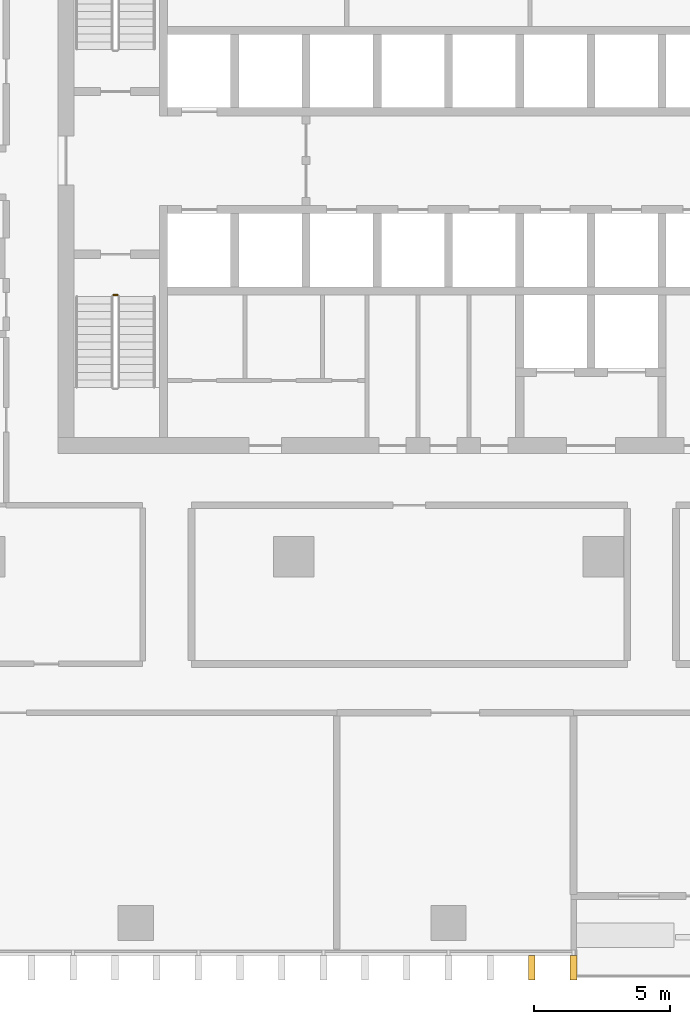
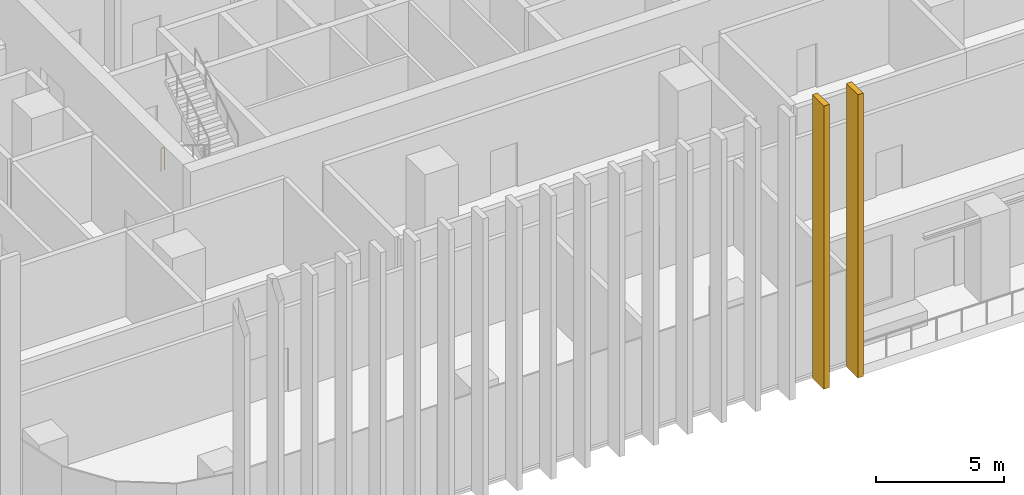
# One storey, part 13 of 17: 2 shading devices, 1 railing.
"""IFC4 building model written with IfcOpenShell, lengths in metres."""

from ifc_helpers import new_model, si_unit, direction, frame, origin, origin_2d, place, context, subcontext, project, spatial, rectangle, circle, extrude, material, type_object, element, save


model = new_model("IFC4")

# Units and contexts
model_context = context("Model", 3, precision=1e-05, world=origin(), true_north=direction((0.0, 1.0)))
body_context = subcontext(model_context, "Body", "Model", "MODEL_VIEW")
ifc_project = project(units=[si_unit("LENGTHUNIT", "METRE"), si_unit("AREAUNIT", "SQUARE_METRE"), si_unit("VOLUMEUNIT", "CUBIC_METRE"), si_unit("PLANEANGLEUNIT", "RADIAN"), si_unit("MASSUNIT", "GRAM", prefix="KILO")], contexts=[model_context])

# Site, building, storey
site_placement = place(None, origin())
site = spatial("IfcSite", under=ifc_project, at=site_placement, CompositionType="ELEMENT")
building_placement = place(site_placement, origin())
building = spatial("IfcBuilding", under=site, at=building_placement, Name="Mopane Tessera Tower", CompositionType="ELEMENT")
storey_placement = place(building_placement, frame((0.0, 0.0, 108.10009765625)))
storey = spatial("IfcBuildingStorey", under=building, at=storey_placement, Name="L21", CompositionType="ELEMENT", Elevation=108.10009765625)

# Shading devices
ifc_material_1 = material(Name="Glazed ceramic tile")
shading_device_type = type_object("IfcShadingDeviceType", Name="Ceramic tile fin 900 x 250 mm", PredefinedType="USERDEFINED", material=ifc_material_1)
for number, where, z_axis, x_axis, name in (
    (1, (3.0732421875, -26.14990234375, -0.4501953125), (0.0, 0.0, 1.0), (1.0, 0.0, 0.0), "e:fin:L21:S:5:2"),
    (2, (4.610107421875, -26.14990234375, -0.4501953125), (0.0, 0.0, 1.0), (1.0, 0.0, 0.0), "e:fin:L21:S:5:3"),
):
    element("IfcShadingDevice", number, at=place(storey_placement, frame(where, z_axis=z_axis, x_axis=x_axis)), inside=storey, type_object=shading_device_type, Name=name, ObjectType="FIN", PredefinedType="USERDEFINED", context=body_context, shape_type="SweptSolid", body=[
        extrude(rectangle(XDim=0.25, YDim=0.89990234375, at=origin_2d()), origin(), (0.0, 0.0, 1.0), 13.5),
    ])

# Railing
ifc_material_2 = material(Name="Powder-coated steel balustrade", Category="steel")
railing_type = type_object("IfcRailingType", Name="Escape stair guard 1100 mm", PredefinedType="GUARDRAIL", material=ifc_material_2)
railing_placement = place(storey_placement, frame((-12.35009765625, -1.35009765625, 0.0)))
element("IfcRailing", 3, at=railing_placement, inside=storey, type_object=railing_type, Name="L21 ST1 stair guard 3", PredefinedType="GUARDRAIL", context=body_context, shape_type="SweptSolid", body=[
    extrude(circle(Radius=0.02392578125, at=origin_2d()), frame((0.0, 0.0, 1.076171875), z_axis=(1.0, 0.0, 0.0), x_axis=(0.0, 1.0, 0.0)), (0.0, 0.0, 1.0), 0.150146484375),
    extrude(circle(Radius=0.02099609375, at=origin_2d()), origin(), (0.0, 0.0, 1.0), 1.052001953125),
    extrude(circle(Radius=0.02099609375, at=origin_2d()), frame((0.150146484375, 0.0, 0.0)), (0.0, 0.0, 1.0), 1.052001953125),
])

save(model, "model.ifc")
